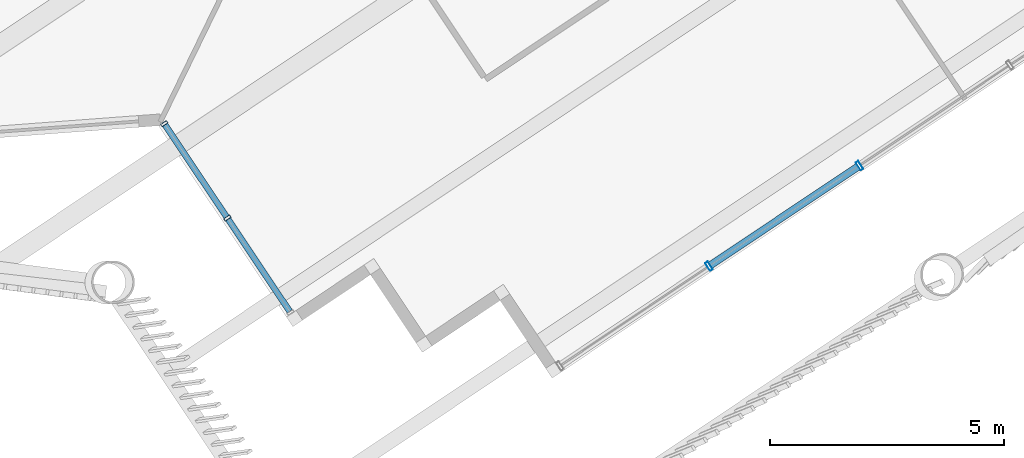
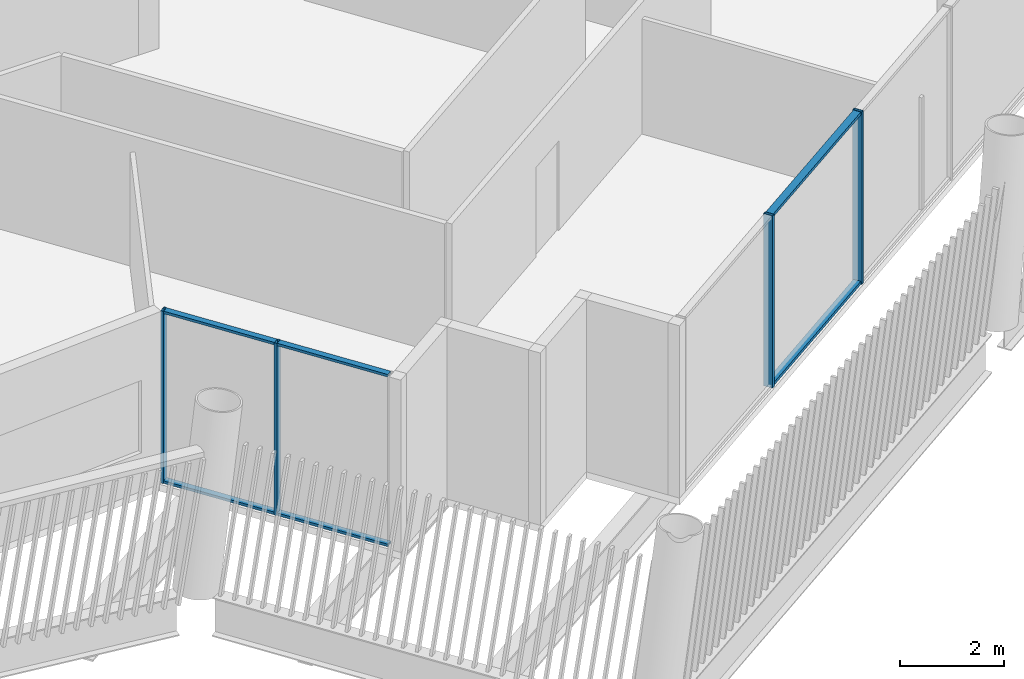
# One storey, part 8 of 28: 10 members, 2 elements without a shape of their own.
"""IFC4 building model written with IfcOpenShell, lengths in metres."""

from ifc_helpers import new_model, si_unit, direction, frame, origin, origin_2d, place, context, subcontext, project, spatial, hollow_rectangle, extrude, material, layer, layer_set, material_profile, profile_set, type_object, element, aggregate, save


model = new_model("IFC4")

# Units and contexts
model_context = context("Model", 3, precision=1e-05, world=origin(), true_north=direction((0.0, 1.0)))
body_context = subcontext(model_context, "Body", "Model", "MODEL_VIEW")
ifc_project = project(units=[si_unit("LENGTHUNIT", "METRE"), si_unit("AREAUNIT", "SQUARE_METRE"), si_unit("VOLUMEUNIT", "CUBIC_METRE"), si_unit("PLANEANGLEUNIT", "RADIAN"), si_unit("MASSUNIT", "GRAM", prefix="KILO")], contexts=[model_context])

# Site, building, storey
site_placement = place(None, origin())
site = spatial("IfcSite", under=ifc_project, at=site_placement, CompositionType="ELEMENT")
building_placement = place(site_placement, origin())
building = spatial("IfcBuilding", under=site, at=building_placement, Name="Tarsis Ring Headquarters", CompositionType="ELEMENT")
storey_placement = place(building_placement, frame((0.0, 0.0, 365.0)))
storey = spatial("IfcBuildingStorey", under=building, at=storey_placement, Name="L86", CompositionType="ELEMENT", Elevation=365.0)

# Curtain wall, members
ifc_material_1 = material(Name="Aluminium curtain wall", Category="aluminium")
ifc_layer_1 = layer(ifc_material_1, 0.199951171875)
ifc_layer_set_1 = layer_set([ifc_layer_1], Name="Curtain wall executive tip")
curtain_wall_type_1 = type_object("IfcCurtainWallType", Name="Curtain wall executive tip", PredefinedType="NOTDEFINED", material=ifc_layer_set_1)
curtain_wall_1_placement = place(storey_placement, origin())
curtain_wall_1 = element("IfcCurtainWall", 1, at=curtain_wall_1_placement, inside=storey, type_object=curtain_wall_type_1, Name="Curtain wall L86-11", PredefinedType="NOTDEFINED")
ifc_material_2 = material(Name="Aluminium mullion", Category="aluminium")
ifc_material_profile_1 = material_profile(ifc_material_2, hollow_rectangle(XDim=0.199951171875, YDim=0.070068359375, WallThickness=0.0048828125, at=origin_2d()), Name="RHS 200x70x5")
ifc_profile_set_1 = profile_set([ifc_material_profile_1], Name="Aluminium mullion")
member_type_1 = type_object("IfcMemberType", Name="Curtain wall mullion executive tip RHS 200x70x5", PredefinedType="MULLION", material=ifc_profile_set_1)
member_1_placement = place(storey_placement, frame((14.491943359375, -28.6533203125, 0.0), z_axis=(0.0, 0.0, 1.0), x_axis=(-0.555715420705, 0.831372582655, 0.0)))
member_1 = element("IfcMember", 2, at=member_1_placement, type_object=member_type_1, Name="CW-E mullion 2", PredefinedType="MULLION", context=body_context, shape_type="SweptSolid", body=[
    extrude(hollow_rectangle(XDim=0.199951171875, YDim=0.070068359375, WallThickness=0.0048828125, at=origin_2d()), origin(), (0.0, 0.0, 1.0), 4.0400390625),
])
member_2_placement = place(storey_placement, frame((17.71337890625, -26.5, 0.0), z_axis=(0.0, 0.0, 1.0), x_axis=(-0.555715420705, 0.831372582655, 0.0)))
member_2 = element("IfcMember", 3, at=member_2_placement, type_object=member_type_1, Name="CW-E mullion 3", PredefinedType="MULLION", context=body_context, shape_type="SweptSolid", body=[
    extrude(hollow_rectangle(XDim=0.199951171875, YDim=0.070068359375, WallThickness=0.0048828125, at=origin_2d()), origin(), (0.0, 0.0, 1.0), 4.0400390625),
])

ifc_layer_2 = layer(ifc_material_1, 0.14990234375)
ifc_layer_set_2 = layer_set([ifc_layer_2], Name="Curtain wall tower unit")
curtain_wall_type_2 = type_object("IfcCurtainWallType", Name="Curtain wall tower unit", PredefinedType="NOTDEFINED", material=ifc_layer_set_2)
curtain_wall_2_placement = place(storey_placement, origin())
curtain_wall_2 = element("IfcCurtainWall", 4, at=curtain_wall_2_placement, inside=storey, type_object=curtain_wall_type_2, Name="Curtain wall L86-06", PredefinedType="NOTDEFINED")
ifc_material_profile_2 = material_profile(ifc_material_2, hollow_rectangle(XDim=0.14990234375, YDim=0.06005859375, WallThickness=0.0048828125, at=origin_2d()), Name="RHS 150x60x5")
ifc_profile_set_2 = profile_set([ifc_material_profile_2], Name="Aluminium mullion")
member_type_2 = type_object("IfcMemberType", Name="Curtain wall mullion tower unit RHS 150x60x5", PredefinedType="MULLION", material=ifc_profile_set_2)
member_3_placement = place(storey_placement, frame((2.830078125, -25.6025390625, 0.0), z_axis=(0.0, 0.0, 1.0), x_axis=(0.831372494199, 0.555715553038, 0.0)))
member_3 = element("IfcMember", 5, at=member_3_placement, type_object=member_type_2, Name="CW-T mullion 1", PredefinedType="MULLION", context=body_context, shape_type="SweptSolid", body=[
    extrude(hollow_rectangle(XDim=0.14990234375, YDim=0.06005859375, WallThickness=0.0048828125, at=origin_2d()), origin(), (0.0, 0.0, 1.0), 4.0400390625),
])
member_4_placement = place(storey_placement, frame((4.180908203125, -27.623779296875, 0.0), z_axis=(0.0, 0.0, 1.0), x_axis=(0.831372494199, 0.555715553038, 0.0)))
member_4 = element("IfcMember", 6, at=member_4_placement, type_object=member_type_2, Name="CW-T mullion 2", PredefinedType="MULLION", context=body_context, shape_type="SweptSolid", body=[
    extrude(hollow_rectangle(XDim=0.14990234375, YDim=0.06005859375, WallThickness=0.0048828125, at=origin_2d()), origin(), (0.0, 0.0, 1.0), 4.0400390625),
])

# Member
ifc_material_3 = material(Name="Aluminium transom", Category="aluminium")
ifc_material_profile_3 = material_profile(ifc_material_3, hollow_rectangle(XDim=0.159912109375, YDim=0.070068359375, WallThickness=0.0048828125, at=origin_2d()), Name="RHS 160x70x5")
ifc_profile_set_3 = profile_set([ifc_material_profile_3], Name="Aluminium transom")
member_type_3 = type_object("IfcMemberType", Name="Curtain wall transom executive tip RHS 160x70x5", PredefinedType="USERDEFINED", material=ifc_profile_set_3)
member_5_placement = place(storey_placement, frame((14.52099609375, -28.634033203125, 0.034912109375), z_axis=(0.831368545139, 0.555721460944, 0.0), x_axis=(-0.555721460944, 0.831368545139, 0.0)))
member_5 = element("IfcMember", 7, at=member_5_placement, type_object=member_type_3, Name="CW-E transom 2.1", ObjectType="TRANSOM", PredefinedType="USERDEFINED", context=body_context, shape_type="SweptSolid", body=[
    extrude(hollow_rectangle(XDim=0.159912109375, YDim=0.070068359375, WallThickness=0.0048828125, at=origin_2d()), origin(), (0.0, 0.0, 1.0), 3.804931640625),
])

member_6_placement = place(storey_placement, frame((14.52099609375, -28.634033203125, 4.0048828125), z_axis=(0.831368545139, 0.555721460944, 0.0), x_axis=(-0.555721460944, 0.831368545139, 0.0)))
member_6 = element("IfcMember", 8, at=member_6_placement, type_object=member_type_3, Name="CW-E transom 2.2", ObjectType="TRANSOM", PredefinedType="USERDEFINED", context=body_context, shape_type="SweptSolid", body=[
    extrude(hollow_rectangle(XDim=0.159912109375, YDim=0.070068359375, WallThickness=0.0048828125, at=origin_2d()), origin(), (0.0, 0.0, 1.0), 3.804931640625),
])

aggregate(curtain_wall_1, [member_1, member_2, member_5, member_6])

ifc_material_profile_4 = material_profile(ifc_material_3, hollow_rectangle(XDim=0.1298828125, YDim=0.06005859375, WallThickness=0.0048828125, at=origin_2d()), Name="RHS 130x60x5")
ifc_profile_set_4 = profile_set([ifc_material_profile_4], Name="Aluminium transom")
member_type_4 = type_object("IfcMemberType", Name="Curtain wall transom tower unit RHS 130x60x5", PredefinedType="USERDEFINED", material=ifc_profile_set_4)
member_7_placement = place(storey_placement, frame((2.8466796875, -25.627685546875, 0.030029296875), z_axis=(0.555721543335, -0.831368490066, 0.0), x_axis=(0.831368490066, 0.555721543335, 0.0)))
member_7 = element("IfcMember", 9, at=member_7_placement, type_object=member_type_4, Name="CW-T transom 1.1", ObjectType="TRANSOM", PredefinedType="USERDEFINED", context=body_context, shape_type="SweptSolid", body=[
    extrude(hollow_rectangle(XDim=0.1298828125, YDim=0.06005859375, WallThickness=0.0048828125, at=origin_2d()), origin(), (0.0, 0.0, 1.0), 2.37109375),
])

member_8_placement = place(storey_placement, frame((2.8466796875, -25.627685546875, 4.010009765625), z_axis=(0.555721543335, -0.831368490066, 0.0), x_axis=(0.831368490066, 0.555721543335, 0.0)))
member_8 = element("IfcMember", 10, at=member_8_placement, type_object=member_type_4, Name="CW-T transom 1.2", ObjectType="TRANSOM", PredefinedType="USERDEFINED", context=body_context, shape_type="SweptSolid", body=[
    extrude(hollow_rectangle(XDim=0.1298828125, YDim=0.06005859375, WallThickness=0.0048828125, at=origin_2d()), origin(), (0.0, 0.0, 1.0), 2.37109375),
])

member_9_placement = place(storey_placement, frame((4.197509765625, -27.648681640625, 0.030029296875), z_axis=(0.555721543335, -0.831368490066, 0.0), x_axis=(0.831368490066, 0.555721543335, 0.0)))
member_9 = element("IfcMember", 11, at=member_9_placement, type_object=member_type_4, Name="CW-T transom 2.1", ObjectType="TRANSOM", PredefinedType="USERDEFINED", context=body_context, shape_type="SweptSolid", body=[
    extrude(hollow_rectangle(XDim=0.1298828125, YDim=0.06005859375, WallThickness=0.0048828125, at=origin_2d()), origin(), (0.0, 0.0, 1.0), 2.37109375),
])

member_10_placement = place(storey_placement, frame((4.197509765625, -27.648681640625, 4.010009765625), z_axis=(0.555721543335, -0.831368490066, 0.0), x_axis=(0.831368490066, 0.555721543335, 0.0)))
member_10 = element("IfcMember", 12, at=member_10_placement, type_object=member_type_4, Name="CW-T transom 2.2", ObjectType="TRANSOM", PredefinedType="USERDEFINED", context=body_context, shape_type="SweptSolid", body=[
    extrude(hollow_rectangle(XDim=0.1298828125, YDim=0.06005859375, WallThickness=0.0048828125, at=origin_2d()), origin(), (0.0, 0.0, 1.0), 2.37109375),
])

aggregate(curtain_wall_2, [member_3, member_4, member_7, member_8, member_9, member_10])

save(model, "model.ifc")
